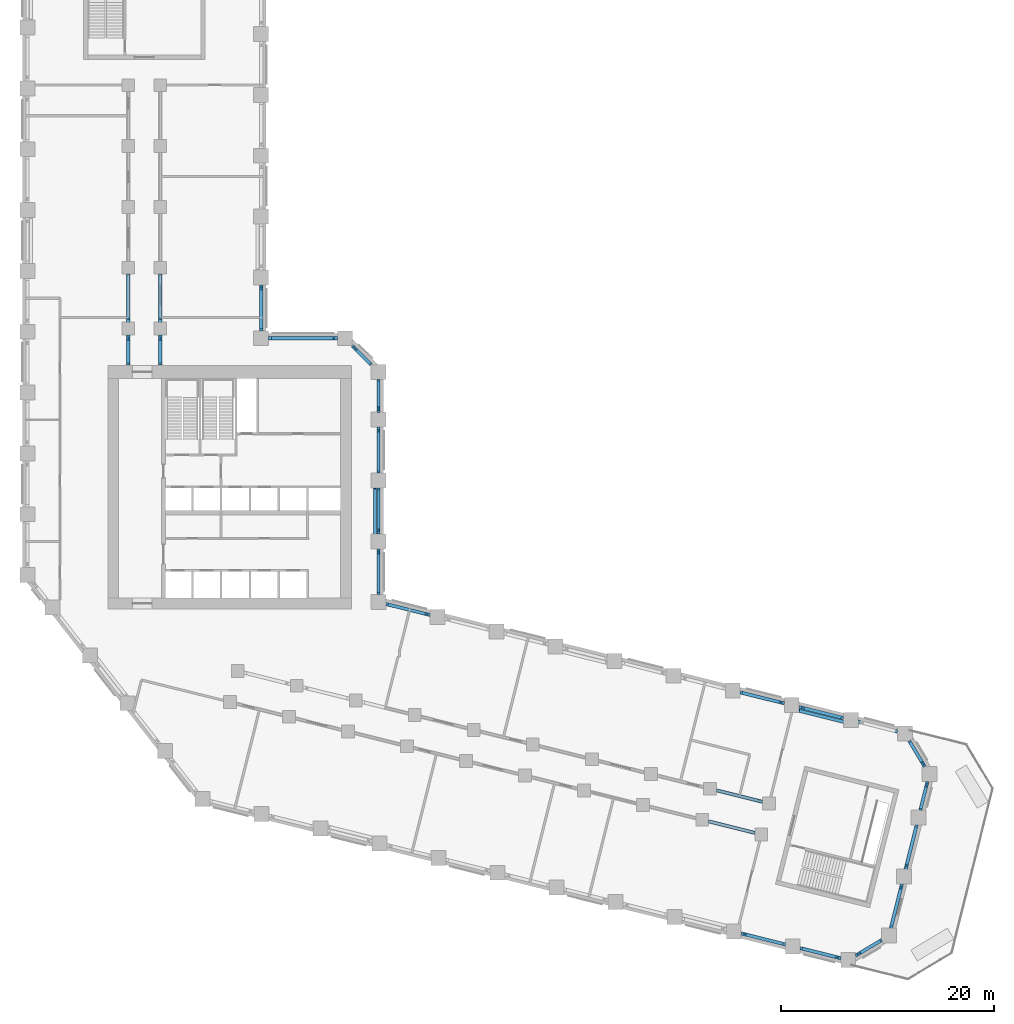
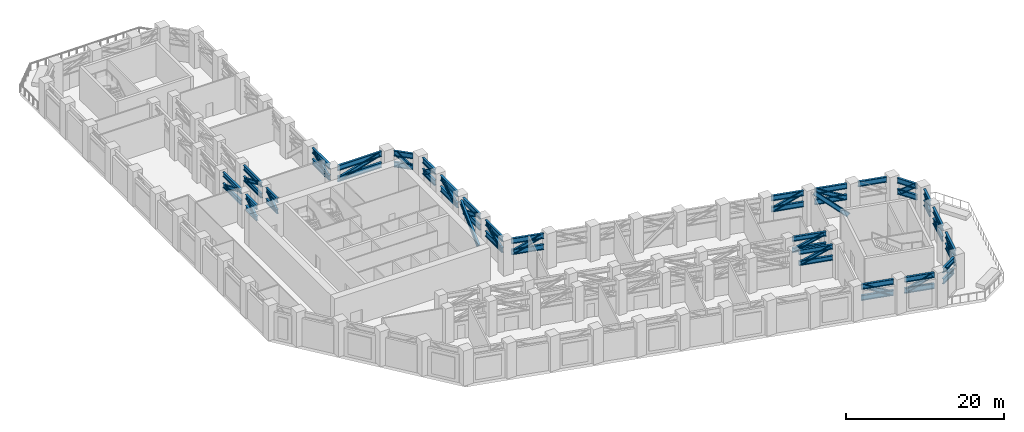
# One storey, part 3 of 14: 47 beams, 25 members.
"""IFC4 building model written with IfcOpenShell, lengths in metres."""

from ifc_helpers import new_model, si_unit, direction, frame, origin, origin_2d, place, context, subcontext, project, spatial, i_section, extrude, material, material_profile, profile_set, type_object, element, save


model = new_model("IFC4")

# Units and contexts
model_context = context("Model", 3, precision=1e-05, world=origin(), true_north=direction((0.0, 1.0)))
body_context = subcontext(model_context, "Body", "Model", "MODEL_VIEW")
ifc_project = project(units=[si_unit("LENGTHUNIT", "METRE"), si_unit("AREAUNIT", "SQUARE_METRE"), si_unit("VOLUMEUNIT", "CUBIC_METRE"), si_unit("PLANEANGLEUNIT", "RADIAN"), si_unit("MASSUNIT", "GRAM", prefix="KILO")], contexts=[model_context])

# Site, building, storey
site_placement = place(None, origin())
site = spatial("IfcSite", under=ifc_project, at=site_placement, CompositionType="ELEMENT")
building_placement = place(site_placement, origin())
building = spatial("IfcBuilding", under=site, at=building_placement, Name="Meshkara Civic Tower", CompositionType="ELEMENT")
storey_placement = place(building_placement, frame((0.0, 0.0, 91.800048828125)))
storey = spatial("IfcBuildingStorey", under=building, at=storey_placement, Name="L20", CompositionType="ELEMENT", Elevation=91.800048828125)

# Beams
ifc_material_1 = material(Name="Steel S355", Category="steel")
ifc_material_profile_1 = material_profile(ifc_material_1, i_section(OverallWidth=0.302978515625, OverallDepth=0.81396484375, WebThickness=0.02099609375, FlangeThickness=0.0400390625, FilletRadius=0.030029296875, at=origin_2d()))
ifc_profile_set_1 = profile_set([ifc_material_profile_1], Name="Steel S355")
beam_type_1 = type_object("IfcBeamType", Name="Belt truss chord HEM 800 S355", PredefinedType="BEAM", material=ifc_profile_set_1)
for number, where, z_axis, x_axis, name in (
    (1, (76.89990234375, 3.8603515625, 4.69287109375), (-0.970293777887, 0.241929710026, 0.0), (-0.241929710026, -0.970293777887, 0.0), "Belt truss chord BBN08-BN07"),
    (2, (76.89990234375, 3.8603515625, 2.992919921875), (-0.970293777887, 0.241929710026, 0.0), (-0.241929710026, -0.970293777887, 0.0), "Belt truss chord BBN08-BN07"),
):
    element("IfcBeam", number, at=place(storey_placement, frame(where, z_axis=z_axis, x_axis=x_axis)), inside=storey, type_object=beam_type_1, Name=name, PredefinedType="BEAM", context=body_context, shape_type="SweptSolid", body=[
        extrude(i_section(OverallWidth=0.302978515625, OverallDepth=0.81396484375, WebThickness=0.02099609375, FlangeThickness=0.0400390625, FilletRadius=0.030029296875, at=origin_2d()), origin(), (0.0, 0.0, 1.0), 4.2666015625),
    ])
for number, where, z_axis, x_axis, name in (
    (3, (71.369873046875, 5.2392578125, 4.69287109375), (-0.97029374225, 0.241929852955, 0.0), (-0.241929852955, -0.97029374225, 0.0), "Belt truss chord BBN07-BN06"),
    (4, (71.369873046875, 5.2392578125, 2.992919921875), (-0.97029374225, 0.241929852955, 0.0), (-0.241929852955, -0.97029374225, 0.0), "Belt truss chord BBN07-BN06"),
):
    element("IfcBeam", number, at=place(storey_placement, frame(where, z_axis=z_axis, x_axis=x_axis)), inside=storey, type_object=beam_type_1, Name=name, PredefinedType="BEAM", context=body_context, shape_type="SweptSolid", body=[
        extrude(i_section(OverallWidth=0.302978515625, OverallDepth=0.81396484375, WebThickness=0.02099609375, FlangeThickness=0.0400390625, FilletRadius=0.030029296875, at=origin_2d()), origin(), (0.0, 0.0, 1.0), 4.267578125),
    ])
for number, where, z_axis, x_axis, name in (
    (5, (38.185791015625, 13.51318359375, 4.69287109375), (-0.970290393622, 0.241943282702, 0.0), (-0.241943282702, -0.970290393622, 0.0), "Belt truss chord BBN01-HE00"),
    (6, (38.185791015625, 13.51318359375, 2.992919921875), (-0.970290393622, 0.241943282702, 0.0), (-0.241943282702, -0.970290393622, 0.0), "Belt truss chord BBN01-HE00"),
):
    element("IfcBeam", number, at=place(storey_placement, frame(where, z_axis=z_axis, x_axis=x_axis)), inside=storey, type_object=beam_type_1, Name=name, PredefinedType="BEAM", context=body_context, shape_type="SweptSolid", body=[
        extrude(i_section(OverallWidth=0.302978515625, OverallDepth=0.81396484375, WebThickness=0.02099609375, FlangeThickness=0.0400390625, FilletRadius=0.030029296875, at=origin_2d()), origin(), (0.0, 0.0, 1.0), 4.267333984375),
    ])
for number, where, z_axis, x_axis, name in (
    (7, (33.35009765625, 15.4140625, 4.69287109375), (0.0, 1.0, 0.0), (-1.0, 0.0, 0.0), "Belt truss chord BHE00-HE01"),
    (8, (33.35009765625, 15.4140625, 2.992919921875), (0.0, 1.0, 0.0), (-1.0, 0.0, 0.0), "Belt truss chord BHE00-HE01"),
    (9, (33.35009765625, 21.114013671875, 4.69287109375), (0.0, 1.0, 0.0), (-1.0, 0.0, 0.0), "Belt truss chord BHE01-HE02"),
    (10, (33.35009765625, 21.114013671875, 2.992919921875), (0.0, 1.0, 0.0), (-1.0, 0.0, 0.0), "Belt truss chord BHE01-HE02"),
    (11, (33.35009765625, 26.81396484375, 4.69287109375), (0.0, 1.0, 0.0), (-1.0, 0.0, 0.0), "Belt truss chord BHE02-HE03"),
    (12, (33.35009765625, 26.81396484375, 2.992919921875), (0.0, 1.0, 0.0), (-1.0, 0.0, 0.0), "Belt truss chord BHE02-HE03"),
):
    element("IfcBeam", number, at=place(storey_placement, frame(where, z_axis=z_axis, x_axis=x_axis)), inside=storey, type_object=beam_type_1, Name=name, PredefinedType="BEAM", context=body_context, shape_type="SweptSolid", body=[
        extrude(i_section(OverallWidth=0.302978515625, OverallDepth=0.81396484375, WebThickness=0.02099609375, FlangeThickness=0.0400390625, FilletRadius=0.030029296875, at=origin_2d()), origin(), (0.0, 0.0, 1.0), 4.31005859375),
    ])
for number, where, z_axis, x_axis, name in (
    (13, (33.35009765625, 32.513916015625, 4.69287109375), (0.0, 1.0, 0.0), (-1.0, 0.0, 0.0), "Belt truss chord BHE03-HEE"),
    (14, (33.35009765625, 32.513916015625, 2.992919921875), (0.0, 1.0, 0.0), (-1.0, 0.0, 0.0), "Belt truss chord BHE03-HEE"),
):
    element("IfcBeam", number, at=place(storey_placement, frame(where, z_axis=z_axis, x_axis=x_axis)), inside=storey, type_object=beam_type_1, Name=name, PredefinedType="BEAM", context=body_context, shape_type="SweptSolid", body=[
        extrude(i_section(OverallWidth=0.302978515625, OverallDepth=0.81396484375, WebThickness=0.02099609375, FlangeThickness=0.0400390625, FilletRadius=0.030029296875, at=origin_2d()), origin(), (0.0, 0.0, 1.0), 3.085205078125),
    ])
for number, where, z_axis, x_axis, name in (
    (15, (32.653564453125, 36.990478515625, 4.69287109375), (-0.707155737934, 0.70705782105, 0.0), (-0.70705782105, -0.707155737934, 0.0), "Belt truss chord BHEE-HCeE"),
    (16, (32.653564453125, 36.990478515625, 2.992919921875), (-0.707155737934, 0.70705782105, 0.0), (-0.70705782105, -0.707155737934, 0.0), "Belt truss chord BHEE-HCeE"),
):
    element("IfcBeam", number, at=place(storey_placement, frame(where, z_axis=z_axis, x_axis=x_axis)), inside=storey, type_object=beam_type_1, Name=name, PredefinedType="BEAM", context=body_context, shape_type="SweptSolid", body=[
        extrude(i_section(OverallWidth=0.302978515625, OverallDepth=0.81396484375, WebThickness=0.02099609375, FlangeThickness=0.0400390625, FilletRadius=0.030029296875, at=origin_2d()), origin(), (0.0, 0.0, 1.0), 2.493408203125),
    ])
for number, where, z_axis, x_axis, name in (
    (17, (29.4990234375, 39.449951171875, 4.69287109375), (-1.0, 0.0, 0.0), (0.0, -1.0, 0.0), "Belt truss chord BHCeE-HN00"),
    (18, (29.4990234375, 39.449951171875, 2.992919921875), (-1.0, 0.0, 0.0), (0.0, -1.0, 0.0), "Belt truss chord BHCeE-HN00"),
):
    element("IfcBeam", number, at=place(storey_placement, frame(where, z_axis=z_axis, x_axis=x_axis)), inside=storey, type_object=beam_type_1, Name=name, PredefinedType="BEAM", context=body_context, shape_type="SweptSolid", body=[
        extrude(i_section(OverallWidth=0.302978515625, OverallDepth=0.81396484375, WebThickness=0.02099609375, FlangeThickness=0.0400390625, FilletRadius=0.030029296875, at=origin_2d()), origin(), (0.0, 0.0, 1.0), 6.4541015625),
    ])
for number, where, z_axis, x_axis, name in (
    (19, (22.35009765625, 40.14501953125, 4.69287109375), (0.0, 1.0, 0.0), (-1.0, 0.0, 0.0), "Belt truss chord BHN00-AE01"),
    (20, (22.35009765625, 40.14501953125, 2.992919921875), (0.0, 1.0, 0.0), (-1.0, 0.0, 0.0), "Belt truss chord BHN00-AE01"),
):
    element("IfcBeam", number, at=place(storey_placement, frame(where, z_axis=z_axis, x_axis=x_axis)), inside=storey, type_object=beam_type_1, Name=name, PredefinedType="BEAM", context=body_context, shape_type="SweptSolid", body=[
        extrude(i_section(OverallWidth=0.302978515625, OverallDepth=0.81396484375, WebThickness=0.02099609375, FlangeThickness=0.0400390625, FilletRadius=0.030029296875, at=origin_2d()), origin(), (0.0, 0.0, 1.0), 4.31005859375),
    ])
for number, where, z_axis, x_axis, name in (
    (21, (67.322021484375, -16.3212890625, 4.69287109375), (0.97029374225, -0.241929852955, 0.0), (0.241929852955, 0.97029374225, 0.0), "Belt truss chord BBS09-BS10"),
    (22, (67.322021484375, -16.3212890625, 2.992919921875), (0.97029374225, -0.241929852955, 0.0), (0.241929852955, 0.97029374225, 0.0), "Belt truss chord BBS09-BS10"),
):
    element("IfcBeam", number, at=place(storey_placement, frame(where, z_axis=z_axis, x_axis=x_axis)), inside=storey, type_object=beam_type_1, Name=name, PredefinedType="BEAM", context=body_context, shape_type="SweptSolid", body=[
        extrude(i_section(OverallWidth=0.302978515625, OverallDepth=0.81396484375, WebThickness=0.02099609375, FlangeThickness=0.0400390625, FilletRadius=0.030029296875, at=origin_2d()), origin(), (0.0, 0.0, 1.0), 4.267578125),
    ])
for number, where, z_axis, x_axis, name in (
    (23, (72.85302734375, -17.7001953125, 4.69287109375), (0.970321460442, -0.241818658101, 0.0), (0.241818658101, 0.970321460442, 0.0), "Belt truss chord BBS10-BSEP1"),
    (24, (72.85302734375, -17.7001953125, 2.992919921875), (0.970321460442, -0.241818658101, 0.0), (0.241818658101, 0.970321460442, 0.0), "Belt truss chord BBS10-BSEP1"),
):
    element("IfcBeam", number, at=place(storey_placement, frame(where, z_axis=z_axis, x_axis=x_axis)), inside=storey, type_object=beam_type_1, Name=name, PredefinedType="BEAM", context=body_context, shape_type="SweptSolid", body=[
        extrude(i_section(OverallWidth=0.302978515625, OverallDepth=0.81396484375, WebThickness=0.02099609375, FlangeThickness=0.0400390625, FilletRadius=0.030029296875, at=origin_2d()), origin(), (0.0, 0.0, 1.0), 3.92626953125),
    ])
for number, where, z_axis, x_axis, name in (
    (25, (78.0537109375, -18.40478515625, 4.69287109375), (0.85710574743, 0.515140502895, 0.0), (-0.515140502895, 0.85710574743, 0.0), "Belt truss chord BBSEP1-BToEP1"),
    (26, (78.0537109375, -18.40478515625, 2.992919921875), (0.85710574743, 0.515140502895, 0.0), (-0.515140502895, 0.85710574743, 0.0), "Belt truss chord BBSEP1-BToEP1"),
):
    element("IfcBeam", number, at=place(storey_placement, frame(where, z_axis=z_axis, x_axis=x_axis)), inside=storey, type_object=beam_type_1, Name=name, PredefinedType="BEAM", context=body_context, shape_type="SweptSolid", body=[
        extrude(i_section(OverallWidth=0.302978515625, OverallDepth=0.81396484375, WebThickness=0.02099609375, FlangeThickness=0.0400390625, FilletRadius=0.030029296875, at=origin_2d()), origin(), (0.0, 0.0, 1.0), 2.83935546875),
    ])
for number, where, z_axis, x_axis, name in (
    (27, (81.356201171875, -15.828857421875, 4.69287109375), (0.241929852955, 0.97029374225, 0.0), (-0.97029374225, 0.241929852955, 0.0), "Belt truss chord BBToEP1-BT01-P1"),
    (28, (81.356201171875, -15.828857421875, 2.992919921875), (0.241929852955, 0.97029374225, 0.0), (-0.97029374225, 0.241929852955, 0.0), "Belt truss chord BBToEP1-BT01-P1"),
):
    element("IfcBeam", number, at=place(storey_placement, frame(where, z_axis=z_axis, x_axis=x_axis)), inside=storey, type_object=beam_type_1, Name=name, PredefinedType="BEAM", context=body_context, shape_type="SweptSolid", body=[
        extrude(i_section(OverallWidth=0.302978515625, OverallDepth=0.81396484375, WebThickness=0.02099609375, FlangeThickness=0.0400390625, FilletRadius=0.030029296875, at=origin_2d()), origin(), (0.0, 0.0, 1.0), 4.267578125),
    ])
for number, where, z_axis, x_axis, name in (
    (29, (82.7353515625, -10.2978515625, 4.69287109375), (0.241943142934, 0.970290428474, 0.0), (-0.970290428474, 0.241943142934, 0.0), "Belt truss chord BBT01-P1-BT02-P1"),
    (30, (82.7353515625, -10.2978515625, 2.992919921875), (0.241943142934, 0.970290428474, 0.0), (-0.970290428474, 0.241943142934, 0.0), "Belt truss chord BBT01-P1-BT02-P1"),
):
    element("IfcBeam", number, at=place(storey_placement, frame(where, z_axis=z_axis, x_axis=x_axis)), inside=storey, type_object=beam_type_1, Name=name, PredefinedType="BEAM", context=body_context, shape_type="SweptSolid", body=[
        extrude(i_section(OverallWidth=0.302978515625, OverallDepth=0.81396484375, WebThickness=0.02099609375, FlangeThickness=0.0400390625, FilletRadius=0.030029296875, at=origin_2d()), origin(), (0.0, 0.0, 1.0), 4.266357421875),
    ])
for number, where, z_axis, x_axis, name in (
    (31, (84.1142578125, -4.767822265625, 4.69287109375), (0.2419724937, 0.970283109351, 0.0), (-0.970283109351, 0.2419724937, 0.0), "Belt truss chord BBT02-P1-BTEP1"),
    (32, (84.1142578125, -4.767822265625, 2.992919921875), (0.2419724937, 0.970283109351, 0.0), (-0.970283109351, 0.2419724937, 0.0), "Belt truss chord BBT02-P1-BTEP1"),
):
    element("IfcBeam", number, at=place(storey_placement, frame(where, z_axis=z_axis, x_axis=x_axis)), inside=storey, type_object=beam_type_1, Name=name, PredefinedType="BEAM", context=body_context, shape_type="SweptSolid", body=[
        extrude(i_section(OverallWidth=0.302978515625, OverallDepth=0.81396484375, WebThickness=0.02099609375, FlangeThickness=0.0400390625, FilletRadius=0.030029296875, at=origin_2d()), origin(), (0.0, 0.0, 1.0), 2.75439453125),
    ])
for number, where, z_axis, x_axis, name in (
    (33, (84.535888671875, -0.704345703125, 4.69287109375), (-0.515140502895, 0.85710574743, 0.0), (-0.85710574743, -0.515140502895, 0.0), "Belt truss chord BBTEP1-BTi00-P1"),
    (34, (84.535888671875, -0.704345703125, 2.992919921875), (-0.515140502895, 0.85710574743, 0.0), (-0.85710574743, -0.515140502895, 0.0), "Belt truss chord BBTEP1-BTi00-P1"),
):
    element("IfcBeam", number, at=place(storey_placement, frame(where, z_axis=z_axis, x_axis=x_axis)), inside=storey, type_object=beam_type_1, Name=name, PredefinedType="BEAM", context=body_context, shape_type="SweptSolid", body=[
        extrude(i_section(OverallWidth=0.302978515625, OverallDepth=0.81396484375, WebThickness=0.02099609375, FlangeThickness=0.0400390625, FilletRadius=0.030029296875, at=origin_2d()), origin(), (0.0, 0.0, 1.0), 2.83935546875),
    ])
beam_placement = place(storey_placement, frame((81.9599609375, 2.598388671875, 4.69287109375), z_axis=(-0.970279035041, 0.241988830652, 0.0), x_axis=(-0.241988830652, -0.970279035041, 0.0)))
element("IfcBeam", 35, at=beam_placement, inside=storey, type_object=beam_type_1, Name="Belt truss chord BBTi00-P1-BN08", PredefinedType="BEAM", context=body_context, shape_type="SweptSolid", body=[
    extrude(i_section(OverallWidth=0.302978515625, OverallDepth=0.81396484375, WebThickness=0.02099609375, FlangeThickness=0.0400390625, FilletRadius=0.030029296875, at=origin_2d()), origin(), (0.0, 0.0, 1.0), 3.7822265625),
])
ifc_material_2 = material(Name="Steel S355", Category="steel")
ifc_material_profile_2 = material_profile(ifc_material_2, i_section(OverallWidth=0.303955078125, OverallDepth=0.716064453125, WebThickness=0.02099609375, FlangeThickness=0.0400390625, FilletRadius=0.027099609375, at=origin_2d()))
ifc_profile_set_2 = profile_set([ifc_material_profile_2], Name="Steel S355")
beam_type_2 = type_object("IfcBeamType", Name="Outrigger chord HEM 700 S355", PredefinedType="BEAM", material=ifc_profile_set_2)
for number, where, z_axis, x_axis, name in (
    (36, (9.89990234375, 36.93994140625, 4.741943359375), (0.0, 1.0, 0.0), (-1.0, 0.0, 0.0), "Outrigger chord OSA1-CORE-SA1-04"),
    (37, (9.89990234375, 36.93994140625, 3.0419921875), (0.0, 1.0, 0.0), (-1.0, 0.0, 0.0), "Outrigger chord OSA1-CORE-SA1-04"),
):
    element("IfcBeam", number, at=place(storey_placement, frame(where, z_axis=z_axis, x_axis=x_axis)), inside=storey, type_object=beam_type_2, Name=name, PredefinedType="BEAM", context=body_context, shape_type="SweptSolid", body=[
        extrude(i_section(OverallWidth=0.303955078125, OverallDepth=0.716064453125, WebThickness=0.02099609375, FlangeThickness=0.0400390625, FilletRadius=0.027099609375, at=origin_2d()), origin(), (0.0, 0.0, 1.0), 2.81494140625),
    ])
for number, where, z_axis, x_axis, name in (
    (38, (9.89990234375, 40.945068359375, 4.741943359375), (0.0, 1.0, 0.0), (-1.0, 0.0, 0.0), "Outrigger chord OSA1-SA1-04-SA1-05"),
    (39, (9.89990234375, 40.945068359375, 3.0419921875), (0.0, 1.0, 0.0), (-1.0, 0.0, 0.0), "Outrigger chord OSA1-SA1-04-SA1-05"),
):
    element("IfcBeam", number, at=place(storey_placement, frame(where, z_axis=z_axis, x_axis=x_axis)), inside=storey, type_object=beam_type_2, Name=name, PredefinedType="BEAM", context=body_context, shape_type="SweptSolid", body=[
        extrude(i_section(OverallWidth=0.303955078125, OverallDepth=0.716064453125, WebThickness=0.02099609375, FlangeThickness=0.0400390625, FilletRadius=0.027099609375, at=origin_2d()), origin(), (0.0, 0.0, 1.0), 4.510009765625),
    ])
for number, where, z_axis, x_axis, name in (
    (40, (12.89990234375, 36.93994140625, 4.741943359375), (0.0, 1.0, 0.0), (-1.0, 0.0, 0.0), "Outrigger chord OSA2-CORE-SA2-04"),
    (41, (12.89990234375, 36.93994140625, 3.0419921875), (0.0, 1.0, 0.0), (-1.0, 0.0, 0.0), "Outrigger chord OSA2-CORE-SA2-04"),
):
    element("IfcBeam", number, at=place(storey_placement, frame(where, z_axis=z_axis, x_axis=x_axis)), inside=storey, type_object=beam_type_2, Name=name, PredefinedType="BEAM", context=body_context, shape_type="SweptSolid", body=[
        extrude(i_section(OverallWidth=0.303955078125, OverallDepth=0.716064453125, WebThickness=0.02099609375, FlangeThickness=0.0400390625, FilletRadius=0.027099609375, at=origin_2d()), origin(), (0.0, 0.0, 1.0), 2.81494140625),
    ])
for number, where, z_axis, x_axis, name in (
    (42, (12.89990234375, 40.945068359375, 4.741943359375), (0.0, 1.0, 0.0), (-1.0, 0.0, 0.0), "Outrigger chord OSA2-SA2-04-SA2-05"),
    (43, (12.89990234375, 40.945068359375, 3.0419921875), (0.0, 1.0, 0.0), (-1.0, 0.0, 0.0), "Outrigger chord OSA2-SA2-04-SA2-05"),
):
    element("IfcBeam", number, at=place(storey_placement, frame(where, z_axis=z_axis, x_axis=x_axis)), inside=storey, type_object=beam_type_2, Name=name, PredefinedType="BEAM", context=body_context, shape_type="SweptSolid", body=[
        extrude(i_section(OverallWidth=0.303955078125, OverallDepth=0.716064453125, WebThickness=0.02099609375, FlangeThickness=0.0400390625, FilletRadius=0.027099609375, at=origin_2d()), origin(), (0.0, 0.0, 1.0), 4.510009765625),
    ])
for number, where, z_axis, x_axis, name in (
    (44, (64.26416015625, -5.8193359375, 4.741943359375), (0.970296390995, -0.241919229543, 0.0), (0.241919229543, 0.970296390995, 0.0), "Outrigger chord OSB1-SB1-08-SB1-09"),
    (45, (64.26416015625, -5.8193359375, 3.0419921875), (0.970296390995, -0.241919229543, 0.0), (0.241919229543, 0.970296390995, 0.0), "Outrigger chord OSB1-SB1-08-SB1-09"),
    (46, (64.989990234375, -2.909423828125, 4.741943359375), (0.970296390995, -0.241919229543, 0.0), (0.241919229543, 0.970296390995, 0.0), "Outrigger chord OSB2-SB2-08-SB2-09"),
    (47, (64.989990234375, -2.909423828125, 3.0419921875), (0.970296390995, -0.241919229543, 0.0), (0.241919229543, 0.970296390995, 0.0), "Outrigger chord OSB2-SB2-08-SB2-09"),
):
    element("IfcBeam", number, at=place(storey_placement, frame(where, z_axis=z_axis, x_axis=x_axis)), inside=storey, type_object=beam_type_2, Name=name, PredefinedType="BEAM", context=body_context, shape_type="SweptSolid", body=[
        extrude(i_section(OverallWidth=0.303955078125, OverallDepth=0.716064453125, WebThickness=0.02099609375, FlangeThickness=0.0400390625, FilletRadius=0.027099609375, at=origin_2d()), origin(), (0.0, 0.0, 1.0), 4.4736328125),
    ])

# Members
ifc_material_3 = material(Name="Steel S355", Category="steel")
ifc_material_profile_3 = material_profile(ifc_material_3, i_section(OverallWidth=0.305908203125, OverallDepth=0.52392578125, WebThickness=0.02392578125, FlangeThickness=0.0400390625, FilletRadius=0.027099609375, at=origin_2d()))
ifc_profile_set_3 = profile_set([ifc_material_profile_3], Name="Steel S355")
member_type_1 = type_object("IfcMemberType", Name="Truss diagonal HEM 500 S355", PredefinedType="BRACE", material=ifc_profile_set_3)
member_1_placement = place(storey_placement, frame((9.89990234375, 37.2900390625, 3.0419921875), z_axis=(0.0, 0.779435971369, 0.626481896415), x_axis=(-1.0, 0.0, 0.0)))
element("IfcMember", 48, at=member_1_placement, inside=storey, type_object=member_type_1, Name="TD-OSA1-CORE-SA1-04-L20", PredefinedType="BRACE", context=body_context, shape_type="SweptSolid", body=[
    extrude(i_section(OverallWidth=0.305908203125, OverallDepth=0.52392578125, WebThickness=0.02392578125, FlangeThickness=0.0400390625, FilletRadius=0.027099609375, at=origin_2d()), origin(), (0.0, 0.0, 1.0), 2.71337890625),
])
member_2_placement = place(storey_placement, frame((9.89990234375, 41.294921875, 4.741943359375), z_axis=(0.0, 0.91322421456, -0.407457401383), x_axis=(-1.0, 0.0, 0.0)))
element("IfcMember", 49, at=member_2_placement, inside=storey, type_object=member_type_1, Name="TD-OSA1-SA1-04-SA1-05-L20", PredefinedType="BRACE", context=body_context, shape_type="SweptSolid", body=[
    extrude(i_section(OverallWidth=0.305908203125, OverallDepth=0.52392578125, WebThickness=0.02392578125, FlangeThickness=0.0400390625, FilletRadius=0.027099609375, at=origin_2d()), origin(), (0.0, 0.0, 1.0), 4.172119140625),
])
member_3_placement = place(storey_placement, frame((12.89990234375, 37.2900390625, 3.0419921875), z_axis=(0.0, 0.779435971369, 0.626481896415), x_axis=(-1.0, 0.0, 0.0)))
element("IfcMember", 50, at=member_3_placement, inside=storey, type_object=member_type_1, Name="TD-OSA2-CORE-SA2-04-L20", PredefinedType="BRACE", context=body_context, shape_type="SweptSolid", body=[
    extrude(i_section(OverallWidth=0.305908203125, OverallDepth=0.52392578125, WebThickness=0.02392578125, FlangeThickness=0.0400390625, FilletRadius=0.027099609375, at=origin_2d()), origin(), (0.0, 0.0, 1.0), 2.71337890625),
])
member_4_placement = place(storey_placement, frame((12.89990234375, 41.294921875, 4.741943359375), z_axis=(0.0, 0.91322421456, -0.407457401383), x_axis=(-1.0, 0.0, 0.0)))
element("IfcMember", 51, at=member_4_placement, inside=storey, type_object=member_type_1, Name="TD-OSA2-SA2-04-SA2-05-L20", PredefinedType="BRACE", context=body_context, shape_type="SweptSolid", body=[
    extrude(i_section(OverallWidth=0.305908203125, OverallDepth=0.52392578125, WebThickness=0.02392578125, FlangeThickness=0.0400390625, FilletRadius=0.027099609375, at=origin_2d()), origin(), (0.0, 0.0, 1.0), 4.172119140625),
])
for number, where, z_axis, x_axis, name in (
    (52, (64.603759765625, -5.904052734375, 3.0419921875), (0.884669456815, -0.220562719146, 0.410745710996), (0.241911414998, 0.970298339323, 0.0), "TD-OSB1-SB1-08-SB1-09-L20"),
    (53, (65.329833984375, -2.994140625, 3.0419921875), (0.884669456815, -0.220562719146, 0.410745710996), (0.241911414998, 0.970298339323, 0.0), "TD-OSB2-SB2-08-SB2-09-L20"),
):
    element("IfcMember", number, at=place(storey_placement, frame(where, z_axis=z_axis, x_axis=x_axis)), inside=storey, type_object=member_type_1, Name=name, PredefinedType="BRACE", context=body_context, shape_type="SweptSolid", body=[
        extrude(i_section(OverallWidth=0.305908203125, OverallDepth=0.52392578125, WebThickness=0.02392578125, FlangeThickness=0.0400390625, FilletRadius=0.027099609375, at=origin_2d()), origin(), (0.0, 0.0, 1.0), 4.138671875),
    ])
ifc_material_4 = material(Name="Steel S355", Category="steel")
ifc_material_profile_4 = material_profile(ifc_material_4, i_section(OverallWidth=0.304931640625, OverallDepth=0.6201171875, WebThickness=0.02099609375, FlangeThickness=0.0400390625, FilletRadius=0.027099609375, at=origin_2d()))
ifc_profile_set_4 = profile_set([ifc_material_profile_4], Name="Steel S355")
member_type_2 = type_object("IfcMemberType", Name="Truss diagonal HEM 600 S355", PredefinedType="BRACE", material=ifc_profile_set_4)
member_5_placement = place(storey_placement, frame((76.560302734375, 3.945068359375, 2.992919921875), z_axis=(-0.875884509579, 0.218430457944, 0.430249300896), x_axis=(-0.241971875588, -0.970283263498, 0.0)))
element("IfcMember", 54, at=member_5_placement, inside=storey, type_object=member_type_2, Name="TD-BBN08-BN07-L20", PredefinedType="BRACE", context=body_context, shape_type="SweptSolid", body=[
    extrude(i_section(OverallWidth=0.304931640625, OverallDepth=0.6201171875, WebThickness=0.02099609375, FlangeThickness=0.0400390625, FilletRadius=0.027099609375, at=origin_2d()), origin(), (0.0, 0.0, 1.0), 3.951171875),
])
for number, where, z_axis, x_axis, name in (
    (55, (71.0302734375, 5.323974609375, 4.69287109375), (-0.875927658641, 0.218394997411, -0.430179453175), (-0.241923672338, -0.970295283284, 0.0), "TD-BBN07-BN06-L20"),
    (56, (37.84619140625, 13.597900390625, 4.69287109375), (-0.875927658641, 0.218394997411, -0.430179453175), (-0.241923672338, -0.970295283284, 0.0), "TD-BBN01-HE00-L20"),
):
    element("IfcMember", number, at=place(storey_placement, frame(where, z_axis=z_axis, x_axis=x_axis)), inside=storey, type_object=member_type_2, Name=name, PredefinedType="BRACE", context=body_context, shape_type="SweptSolid", body=[
        extrude(i_section(OverallWidth=0.304931640625, OverallDepth=0.6201171875, WebThickness=0.02099609375, FlangeThickness=0.0400390625, FilletRadius=0.027099609375, at=origin_2d()), origin(), (0.0, 0.0, 1.0), 3.95166015625),
    ])
member_6_placement = place(storey_placement, frame((33.35009765625, 15.763916015625, 2.992919921875), z_axis=(0.0, 0.904714681256, 0.426018010792), x_axis=(-1.0, 0.0, 0.0)))
element("IfcMember", 57, at=member_6_placement, inside=storey, type_object=member_type_2, Name="TD-BHE00-HE01-L20", PredefinedType="BRACE", context=body_context, shape_type="SweptSolid", body=[
    extrude(i_section(OverallWidth=0.304931640625, OverallDepth=0.6201171875, WebThickness=0.02099609375, FlangeThickness=0.0400390625, FilletRadius=0.027099609375, at=origin_2d()), origin(), (0.0, 0.0, 1.0), 3.990234375),
])
for number, where, z_axis, x_axis, name in (
    (58, (33.35009765625, 21.464111328125, 4.69287109375), (0.0, 0.904703576129, -0.426041593439), (-1.0, 0.0, 0.0), "TD-BHE01-HE02-L20"),
    (59, (33.35009765625, 27.1640625, 2.992919921875), (0.0, 0.904703576129, 0.426041593439), (-1.0, 0.0, 0.0), "TD-BHE02-HE03-L20"),
):
    element("IfcMember", number, at=place(storey_placement, frame(where, z_axis=z_axis, x_axis=x_axis)), inside=storey, type_object=member_type_2, Name=name, PredefinedType="BRACE", context=body_context, shape_type="SweptSolid", body=[
        extrude(i_section(OverallWidth=0.304931640625, OverallDepth=0.6201171875, WebThickness=0.02099609375, FlangeThickness=0.0400390625, FilletRadius=0.027099609375, at=origin_2d()), origin(), (0.0, 0.0, 1.0), 3.989990234375),
    ])
member_7_placement = place(storey_placement, frame((33.35009765625, 32.864013671875, 4.69287109375), z_axis=(0.0, 0.814318812962, -0.580417841607), x_axis=(-1.0, 0.0, 0.0)))
element("IfcMember", 60, at=member_7_placement, inside=storey, type_object=member_type_2, Name="TD-BHE03-HEE-L20", PredefinedType="BRACE", context=body_context, shape_type="SweptSolid", body=[
    extrude(i_section(OverallWidth=0.304931640625, OverallDepth=0.6201171875, WebThickness=0.02099609375, FlangeThickness=0.0400390625, FilletRadius=0.027099609375, at=origin_2d()), origin(), (0.0, 0.0, 1.0), 2.928955078125),
])
member_8_placement = place(storey_placement, frame((32.406005859375, 37.238037109375, 2.992919921875), z_axis=(-0.513180376639, 0.513180376639, 0.687962064408), x_axis=(-0.707106781187, -0.707106781187, 0.0)))
element("IfcMember", 61, at=member_8_placement, inside=storey, type_object=member_type_2, Name="TD-BHEE-HCeE-L20", PredefinedType="BRACE", context=body_context, shape_type="SweptSolid", body=[
    extrude(i_section(OverallWidth=0.304931640625, OverallDepth=0.6201171875, WebThickness=0.02099609375, FlangeThickness=0.0400390625, FilletRadius=0.027099609375, at=origin_2d()), origin(), (0.0, 0.0, 1.0), 2.470947265625),
])
member_9_placement = place(storey_placement, frame((29.14892578125, 39.449951171875, 4.69287109375), z_axis=(-0.959020723633, 0.0, -0.283335934261), x_axis=(0.0, -1.0, 0.0)))
element("IfcMember", 62, at=member_9_placement, inside=storey, type_object=member_type_2, Name="TD-BHCeE-HN00-L20", PredefinedType="BRACE", context=body_context, shape_type="SweptSolid", body=[
    extrude(i_section(OverallWidth=0.304931640625, OverallDepth=0.6201171875, WebThickness=0.02099609375, FlangeThickness=0.0400390625, FilletRadius=0.027099609375, at=origin_2d()), origin(), (0.0, 0.0, 1.0), 5.999755859375),
])
member_10_placement = place(storey_placement, frame((22.35009765625, 40.4951171875, 2.992919921875), z_axis=(0.0, 0.904703576129, 0.426041593439), x_axis=(-1.0, 0.0, 0.0)))
element("IfcMember", 63, at=member_10_placement, inside=storey, type_object=member_type_2, Name="TD-BHN00-AE01-L20", PredefinedType="BRACE", context=body_context, shape_type="SweptSolid", body=[
    extrude(i_section(OverallWidth=0.304931640625, OverallDepth=0.6201171875, WebThickness=0.02099609375, FlangeThickness=0.0400390625, FilletRadius=0.027099609375, at=origin_2d()), origin(), (0.0, 0.0, 1.0), 3.989990234375),
])
member_11_placement = place(storey_placement, frame((67.661865234375, -16.406005859375, 4.69287109375), z_axis=(0.875927658641, -0.218394997411, -0.430179453175), x_axis=(0.241923672338, 0.970295283284, 0.0)))
element("IfcMember", 64, at=member_11_placement, inside=storey, type_object=member_type_2, Name="TD-BBS09-BS10-L20", PredefinedType="BRACE", context=body_context, shape_type="SweptSolid", body=[
    extrude(i_section(OverallWidth=0.304931640625, OverallDepth=0.6201171875, WebThickness=0.02099609375, FlangeThickness=0.0400390625, FilletRadius=0.027099609375, at=origin_2d()), origin(), (0.0, 0.0, 1.0), 3.95166015625),
])
member_12_placement = place(storey_placement, frame((73.19287109375, -17.784912109375, 2.992919921875), z_axis=(0.858429349435, -0.213971314989, 0.466170921862), x_axis=(0.241858937935, 0.970311421215, 0.0)))
element("IfcMember", 65, at=member_12_placement, inside=storey, type_object=member_type_2, Name="TD-BBS10-BSEP1-L20", PredefinedType="BRACE", context=body_context, shape_type="SweptSolid", body=[
    extrude(i_section(OverallWidth=0.304931640625, OverallDepth=0.6201171875, WebThickness=0.02099609375, FlangeThickness=0.0400390625, FilletRadius=0.027099609375, at=origin_2d()), origin(), (0.0, 0.0, 1.0), 3.646728515625),
])
member_13_placement = place(storey_placement, frame((78.353759765625, -18.224609375, 4.69287109375), z_axis=(0.671018222231, 0.403325733043, -0.622143792463), x_axis=(-0.515166929986, 0.857089863578, 0.0)))
element("IfcMember", 66, at=member_13_placement, inside=storey, type_object=member_type_2, Name="TD-BBSEP1-BToEP1-L20", PredefinedType="BRACE", context=body_context, shape_type="SweptSolid", body=[
    extrude(i_section(OverallWidth=0.304931640625, OverallDepth=0.6201171875, WebThickness=0.02099609375, FlangeThickness=0.0400390625, FilletRadius=0.027099609375, at=origin_2d()), origin(), (0.0, 0.0, 1.0), 2.732421875),
])
member_14_placement = place(storey_placement, frame((81.44091796875, -15.4892578125, 2.992919921875), z_axis=(0.218394997411, 0.875927658641, 0.430179453175), x_axis=(-0.970295283284, 0.241923672338, 0.0)))
element("IfcMember", 67, at=member_14_placement, inside=storey, type_object=member_type_2, Name="TD-BBToEP1-BT01-P1-L20", PredefinedType="BRACE", context=body_context, shape_type="SweptSolid", body=[
    extrude(i_section(OverallWidth=0.304931640625, OverallDepth=0.6201171875, WebThickness=0.02099609375, FlangeThickness=0.0400390625, FilletRadius=0.027099609375, at=origin_2d()), origin(), (0.0, 0.0, 1.0), 3.95166015625),
])
member_15_placement = place(storey_placement, frame((82.820068359375, -9.958251953125, 4.69287109375), z_axis=(0.218442280293, 0.875870121888, -0.430272587745), x_axis=(-0.970279255306, 0.241987947475, 0.0)))
element("IfcMember", 68, at=member_15_placement, inside=storey, type_object=member_type_2, Name="TD-BBT01-P1-BT02-P1-L20", PredefinedType="BRACE", context=body_context, shape_type="SweptSolid", body=[
    extrude(i_section(OverallWidth=0.304931640625, OverallDepth=0.6201171875, WebThickness=0.02099609375, FlangeThickness=0.0400390625, FilletRadius=0.027099609375, at=origin_2d()), origin(), (0.0, 0.0, 1.0), 3.950927734375),
])
member_16_placement = place(storey_placement, frame((84.198974609375, -4.42822265625, 2.992919921875), z_axis=(0.186408208611, 0.747555512433, 0.63750508672), x_axis=(-0.970289118826, 0.241948395092, 0.0)))
element("IfcMember", 69, at=member_16_placement, inside=storey, type_object=member_type_2, Name="TD-BBT02-P1-BTEP1-L20", PredefinedType="BRACE", context=body_context, shape_type="SweptSolid", body=[
    extrude(i_section(OverallWidth=0.304931640625, OverallDepth=0.6201171875, WebThickness=0.02099609375, FlangeThickness=0.0400390625, FilletRadius=0.027099609375, at=origin_2d()), origin(), (0.0, 0.0, 1.0), 2.66650390625),
])
member_17_placement = place(storey_placement, frame((84.35546875, -0.404296875, 4.69287109375), z_axis=(-0.403325733043, 0.671018222231, -0.622143792463), x_axis=(-0.857089863578, -0.515166929986, 0.0)))
element("IfcMember", 70, at=member_17_placement, inside=storey, type_object=member_type_2, Name="TD-BBTEP1-BTi00-P1-L20", PredefinedType="BRACE", context=body_context, shape_type="SweptSolid", body=[
    extrude(i_section(OverallWidth=0.304931640625, OverallDepth=0.6201171875, WebThickness=0.02099609375, FlangeThickness=0.0400390625, FilletRadius=0.027099609375, at=origin_2d()), origin(), (0.0, 0.0, 1.0), 2.732421875),
])
member_18_placement = place(storey_placement, frame((76.93896484375, 3.500244140625, 0.349853515625), z_axis=(-0.701985432894, 0.175045613808, 0.690344468429), x_axis=(-0.241949207165, -0.97028891633, 0.0)))
element("IfcMember", 71, at=member_18_placement, inside=storey, type_object=member_type_2, Name="TD-XBN08-BN07-L20", PredefinedType="BRACE", context=body_context, shape_type="SweptSolid", body=[
    extrude(i_section(OverallWidth=0.304931640625, OverallDepth=0.6201171875, WebThickness=0.02099609375, FlangeThickness=0.0400390625, FilletRadius=0.027099609375, at=origin_2d()), origin(), (0.0, 0.0, 1.0), 6.228759765625),
])
member_19_placement = place(storey_placement, frame((33.010009765625, 20.9990234375, 0.349853515625), z_axis=(0.0, 0.726035779451, 0.687656925332), x_axis=(-1.0, 0.0, 0.0)))
element("IfcMember", 72, at=member_19_placement, inside=storey, type_object=member_type_2, Name="TD-XHE01-HE02-L20", PredefinedType="BRACE", context=body_context, shape_type="SweptSolid", body=[
    extrude(i_section(OverallWidth=0.304931640625, OverallDepth=0.6201171875, WebThickness=0.02099609375, FlangeThickness=0.0400390625, FilletRadius=0.027099609375, at=origin_2d()), origin(), (0.0, 0.0, 1.0), 6.253173828125),
])

save(model, "model.ifc")
